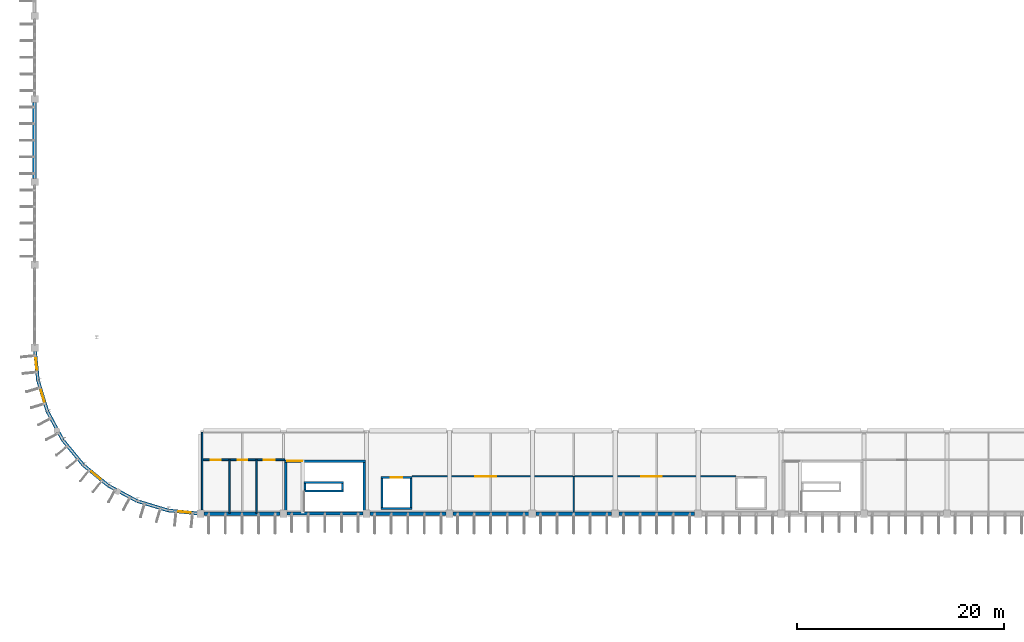
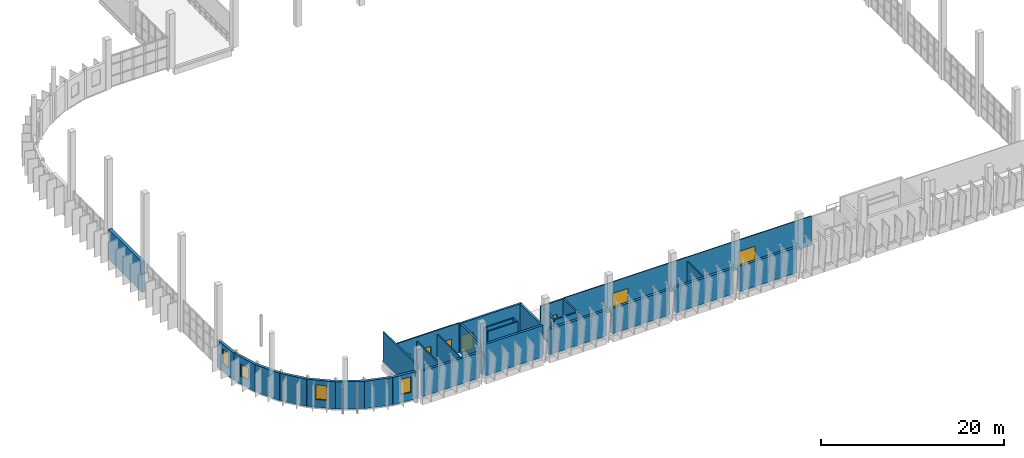
# One storey, part 47 of 66: 32 walls, 7 doors, 4 windows, 11 openings.
"""IFC4 building model written with IfcOpenShell, lengths in metres."""

import ifcopenshell
import ifcopenshell.guid

model = None  # the IFC model being written
_history = None  # IfcOwnerHistory: only IFC2X3 demands one
_inside = {}  # id of a spatial element -> (the spatial element, [elements in it])
_under = {}  # id of a project, library or spatial element -> (it, [spatial elements below it])
_declared = {}  # id of a project -> (the project, [libraries it declares])
_typed = {}  # id of a type object -> (the type object, [elements of that type])
_made_of = {}  # id of a material, layer set ... -> (it, [elements and type objects made of it])


def new_model(schema):
    """Start an empty IFC model of exactly this schema.

    Asked for "IFC4X3", IfcOpenShell would pick the latest addendum, in which some entities
    have other attributes; the version numbers below select the first issue.
    IFC2X3 requires an IfcOwnerHistory on every rooted entity: one is made here for all.
    """
    global model, _history
    if schema == "IFC4X3":
        model = ifcopenshell.file(schema_version=(4, 3, 0, 0))
    else:
        model = ifcopenshell.file(schema=schema)
    _inside.clear()
    _under.clear()
    _declared.clear()
    _typed.clear()
    _made_of.clear()
    _history = None
    if model.schema == "IFC2X3":
        org = make("IfcOrganization", Name="unknown")
        user = make(
            "IfcPersonAndOrganization",
            ThePerson=make("IfcPerson", FamilyName="unknown"),
            TheOrganization=org,
        )
        app = make(
            "IfcApplication",
            ApplicationDeveloper=org,
            Version="unknown",
            ApplicationFullName="unknown",
            ApplicationIdentifier="unknown",
        )
        _history = make(
            "IfcOwnerHistory",
            OwningUser=user,
            OwningApplication=app,
            ChangeAction="ADDED",
            CreationDate=0,
        )
    return model


def make(cls, **values):
    """One entity of the class cls with the attributes given. An attribute that is None is left unset."""
    return model.create_entity(
        cls, **{name: value for name, value in values.items() if value is not None}
    )


def rooted(cls, **values):
    """An entity with a GlobalId (a new one), such as an element, a storey or a relation."""
    return make(cls, GlobalId=ifcopenshell.guid.new(), OwnerHistory=_history, **values)


def si_unit(unit_type, name, prefix=None):
    """IfcSIUnit, for example si_unit("LENGTHUNIT", "METRE", prefix="MILLI")."""
    return make("IfcSIUnit", UnitType=unit_type, Prefix=prefix, Name=name)


def assignment(units):
    """IfcUnitAssignment: the units of a project."""
    return None if units is None else make("IfcUnitAssignment", Units=units)


def point(xyz):
    """IfcCartesianPoint."""
    return None if xyz is None else make("IfcCartesianPoint", Coordinates=xyz)


def direction(xyz):
    """IfcDirection."""
    return None if xyz is None else make("IfcDirection", DirectionRatios=xyz)


def frame(location, z_axis=None, x_axis=None):
    """IfcAxis2Placement3D, a coordinate frame: its origin and axes. An axis left out is left unset."""
    return make(
        "IfcAxis2Placement3D",
        Location=point(location),
        Axis=direction(z_axis),
        RefDirection=direction(x_axis),
    )


def frame_2d(location, x_axis=None):
    """IfcAxis2Placement2D, a coordinate frame in the plane: its origin and x axis."""
    return make(
        "IfcAxis2Placement2D", Location=point(location), RefDirection=direction(x_axis)
    )


def origin():
    """The frame at (0, 0, 0) with its axes left unset."""
    return frame((0.0, 0.0, 0.0))


def place(relative_to, where):
    """IfcLocalPlacement: puts the frame where relative to a parent placement (None: the world)."""
    return make(
        "IfcLocalPlacement", PlacementRelTo=relative_to, RelativePlacement=where
    )


def context(
    kind, dimensions, precision=None, world=None, true_north=None, identifier=None
):
    """IfcGeometricRepresentationContext, for example the 3D "Model" context."""
    return make(
        "IfcGeometricRepresentationContext",
        ContextIdentifier=identifier,
        ContextType=kind,
        CoordinateSpaceDimension=dimensions,
        Precision=precision,
        WorldCoordinateSystem=world,
        TrueNorth=true_north,
    )


def subcontext(parent, identifier, kind, view, scale=None):
    """IfcGeometricRepresentationSubContext, for example "Body" below "Model"."""
    return make(
        "IfcGeometricRepresentationSubContext",
        ContextIdentifier=identifier,
        ContextType=kind,
        ParentContext=parent,
        TargetScale=scale,
        TargetView=view,
    )


def project(units=None, contexts=None):
    """IfcProject with its units and contexts."""
    return rooted(
        "IfcProject",
        Name="project",
        RepresentationContexts=contexts,
        UnitsInContext=assignment(units),
    )


def spatial(cls, under=None, at=None, **own):
    """A site, building, storey or space (cls), placed at a placement, below another one or the project."""
    s = rooted(cls, ObjectPlacement=at, **own)
    if under is not None:
        _under.setdefault(under.id(), (under, []))[1].append(s)
    return s


def profile(cls, at=None, kind="AREA", **sizes):
    """A parametric profile (cls). Its sizes go by their IFC names, for example OverallWidth=200.0."""
    return make(cls, ProfileType=kind, Position=at, **sizes)


def rectangle(**sizes):
    """IfcRectangleProfileDef."""
    return profile("IfcRectangleProfileDef", **sizes)


def extrude(swept, where, along, depth):
    """IfcExtrudedAreaSolid: the profile swept, set in the frame where, extruded along a direction by depth."""
    return make(
        "IfcExtrudedAreaSolid",
        SweptArea=swept,
        Position=where,
        ExtrudedDirection=direction(along),
        Depth=depth,
    )


def shape(context_of_items, identifier, shape_type, items):
    """IfcShapeRepresentation: the items that make up one representation, for example the "Body"."""
    return make(
        "IfcShapeRepresentation",
        ContextOfItems=context_of_items,
        RepresentationIdentifier=identifier,
        RepresentationType=shape_type,
        Items=items,
    )


def material(Name=None, Category=None):
    """IfcMaterial."""
    return make("IfcMaterial", Name=Name, Category=Category)


def layer(
    of_material, thickness, ventilated=None, Name=None, Category=None, Priority=None
):
    """IfcMaterialLayer: one layer of a wall or slab, of a material (None: an air gap)."""
    return make(
        "IfcMaterialLayer",
        Material=of_material,
        LayerThickness=thickness,
        IsVentilated=ventilated,
        Name=Name,
        Category=Category,
        Priority=Priority,
    )


def layer_set(layers, Name=None):
    """IfcMaterialLayerSet."""
    return make("IfcMaterialLayerSet", MaterialLayers=layers, LayerSetName=Name)


def made_of(thing, what):
    """Note that an element or type object is made of a material, layer set ...; save() writes the relation."""
    if what is not None:
        _made_of.setdefault(what.id(), (what, []))[1].append(thing)
    return thing


def type_object(cls, material=None, **own):
    """A type object (cls), such as IfcWallType, which elements share."""
    return made_of(rooted(cls, **own), material)


def element(
    cls,
    number,
    at=None,
    inside=None,
    cuts=None,
    type_object=None,
    material=None,
    context=None,
    identifier="Body",
    shape_type=None,
    held_by="IfcProductDefinitionShape",
    body=None,
    shapes=None,
    **own,
):
    """One element of the class cls, such as IfcWall. Its Tag is "e" and its number.

    at: its placement. inside: the storey or other place that contains it. cuts: it is an
    opening in that element (IfcRelVoidsElement). A single representation is given by context,
    identifier, shape_type and body (its items); several are given by shapes. held_by: the class
    of the entity that holds the representations. save() writes the other relations.
    """
    e = rooted(cls, Tag="e%d" % number, ObjectPlacement=at, **own)
    if body is not None:
        shapes = [shape(context, identifier, shape_type, body)]
    if shapes is not None:
        e.Representation = make(held_by, Representations=shapes)
    if inside is not None:
        _inside.setdefault(inside.id(), (inside, []))[1].append(e)
    if cuts is not None:
        rooted(
            "IfcRelVoidsElement", RelatingBuildingElement=cuts, RelatedOpeningElement=e
        )
    if type_object is not None:
        _typed.setdefault(type_object.id(), (type_object, []))[1].append(e)
    return made_of(e, material)


def fill(opening, filler):
    """IfcRelFillsElement: the door or window that sits in an opening."""
    return rooted(
        "IfcRelFillsElement",
        RelatingOpeningElement=opening,
        RelatedBuildingElement=filler,
    )


def aggregate(whole, parts):
    """IfcRelAggregates: a whole, such as a stair, and the parts it consists of."""
    return rooted("IfcRelAggregates", RelatingObject=whole, RelatedObjects=parts)


def save(model, path):
    """Write the relations noted so far, then the file.

    IfcRelAggregates (storeys below a building ...), IfcRelContainedInSpatialStructure (elements
    in a storey), IfcRelDefinesByType, IfcRelAssociatesMaterial and IfcRelDeclares: one each for
    every whole, place, type object, material and project.
    """
    for whole, parts in _under.values():
        aggregate(whole, parts)
    for where, things in _inside.values():
        rooted(
            "IfcRelContainedInSpatialStructure",
            RelatedElements=things,
            RelatingStructure=where,
        )
    for kind, things in _typed.values():
        rooted("IfcRelDefinesByType", RelatedObjects=things, RelatingType=kind)
    for what, things in _made_of.values():
        rooted("IfcRelAssociatesMaterial", RelatedObjects=things, RelatingMaterial=what)
    for by, libraries in _declared.values():
        rooted("IfcRelDeclares", RelatingContext=by, RelatedDefinitions=libraries)
    model.write(path)


model = new_model("IFC4")

# Units and contexts
model_context = context("Model", 3, precision=1e-05, world=origin(), true_north=direction((0.0, 1.0)))
body_context = subcontext(model_context, "Body", "Model", "MODEL_VIEW")
ifc_project = project(units=[si_unit("LENGTHUNIT", "METRE"), si_unit("AREAUNIT", "SQUARE_METRE"), si_unit("VOLUMEUNIT", "CUBIC_METRE"), si_unit("PLANEANGLEUNIT", "RADIAN"), si_unit("MASSUNIT", "GRAM", prefix="KILO")], contexts=[model_context])

# Site, building, storey
site_placement = place(None, origin())
site = spatial("IfcSite", under=ifc_project, at=site_placement, CompositionType="ELEMENT")
building_placement = place(site_placement, origin())
building = spatial("IfcBuilding", under=site, at=building_placement, Name="Drelvana Railside Aquatics Centre", CompositionType="ELEMENT")
storey_placement = place(building_placement, frame((0.0, 0.0, 10.199951171875)))
storey = spatial("IfcBuildingStorey", under=building, at=storey_placement, Name="L02", CompositionType="ELEMENT", Elevation=10.199951171875)

# Wall, opening, door
ifc_material_1 = material(Name="Concrete C40/50", Category="concrete")
ifc_layer_1 = layer(ifc_material_1, 0.25, Name="Concrete C40/50")
ifc_layer_set_1 = layer_set([ifc_layer_1], Name="Concrete C40/50")
wall_type_1 = type_object("IfcWallType", Name="WL-CORE-250", PredefinedType="SHEAR", material=ifc_layer_set_1)
wall_1_placement = place(storey_placement, frame((24.10009765625, 21.074951171875, 0.0), z_axis=(0.0, 0.0, 1.0), x_axis=(1.0, 0.0, 0.0)))
wall_1 = element("IfcWall", 1, at=wall_1_placement, inside=storey, type_object=wall_type_1, Name="Core 1 South-West Pool Hall N core wall (L02)", PredefinedType="SHEAR", context=body_context, shape_type="SweptSolid", body=[
    extrude(rectangle(XDim=7.7998046875, YDim=0.25, at=frame_2d((3.89990234375, 0.0))), origin(), (0.0, 0.0, 1.0), 3.9599609375),
])
opening_1_placement = place(wall_1_placement, frame((0.25, 0.0, 0.0)))
opening_1 = element("IfcOpeningElement", 2, at=opening_1_placement, cuts=wall_1, Name="Opening D-01-004", PredefinedType="OPENING", context=body_context, shape_type="SweptSolid", body=[
    extrude(rectangle(XDim=1.449951171875, YDim=2.199951171875, at=frame_2d((0.72509765625, 1.10009765625))), frame((0.0, 0.135009765625, 0.0), z_axis=(0.0, -1.0, 0.0), x_axis=(1.0, 0.0, 0.0)), (0.0, 0.0, 1.0), 0.27001953125),
])
ifc_material_2 = material(Name="Fire-rated steel and vision-panel door", Category="steel")
door_type_1 = type_object("IfcDoorType", Name="DR-INT-STAIR-1450x2200", OperationType="DOUBLE_DOOR_SINGLE_SWING", PredefinedType="DOOR", material=ifc_material_2)
door_1_placement = place(opening_1_placement, origin())
door_1 = element("IfcDoor", 3, at=door_1_placement, inside=storey, type_object=door_type_1, Name="Stair ST-01 lobby door D-01-004", OperationType="DOUBLE_DOOR_SINGLE_SWING", OverallHeight=2.199951171875, OverallWidth=1.449951171875, PredefinedType="DOOR", context=body_context, shape_type="SweptSolid", body=[
    extrude(rectangle(XDim=1.449951171875, YDim=2.199951171875, at=frame_2d((0.72509765625, 1.10009765625))), frame((0.0, 0.02490234375, 0.0), z_axis=(0.0, -1.0, 0.0), x_axis=(1.0, 0.0, 0.0)), (0.0, 0.0, 1.0), 0.050048828125),
])
fill(opening_1, door_1)

# Walls
for number, where, z_axis, x_axis, name in (
    (4, (24.22509765625, 16.25, 0.0), (0.0, 0.0, 1.0), (0.0, 1.0, 0.0), "Core 1 South-West Pool Hall W core wall (L02)"),
    (5, (31.77490234375, 16.25, 0.0), (0.0, 0.0, 1.0), (0.0, 1.0, 0.0), "Core 1 South-West Pool Hall E core wall (L02)"),
):
    element("IfcWall", number, at=place(storey_placement, frame(where, z_axis=z_axis, x_axis=x_axis)), inside=storey, type_object=wall_type_1, Name=name, PredefinedType="SHEAR", context=body_context, shape_type="SweptSolid", body=[
        extrude(rectangle(XDim=4.699951171875, YDim=0.25, at=frame_2d((2.35009765625, 0.0))), origin(), (0.0, 0.0, 1.0), 3.9599609375),
    ])
ifc_layer_2 = layer(ifc_material_1, 0.300048828125, Name="Concrete C40/50")
ifc_layer_set_2 = layer_set([ifc_layer_2], Name="Concrete C40/50")
wall_type_2 = type_object("IfcWallType", Name="WL-CORE-300", PredefinedType="SHEAR", material=ifc_layer_set_2)
wall_2_placement = place(storey_placement, frame((24.345947265625, 16.0, 0.0), z_axis=(0.0, 0.0, 1.0), x_axis=(1.0, 0.0, 0.0)))
element("IfcWall", 6, at=wall_2_placement, inside=storey, type_object=wall_type_2, Name="Pool Hall south L02 core shear wall 2", PredefinedType="SHEAR", context=body_context, shape_type="SweptSolid", body=[
    extrude(rectangle(XDim=7.30810546875, YDim=0.300048828125, at=frame_2d((3.654052734375, 0.0))), origin(), (0.0, 0.0, 1.0), 4.199951171875),
])

# Wall, openings, doors
ifc_material_3 = material(Name="Acoustic twin-stud gypsum partition", Category="gypsum")
ifc_layer_3 = layer(ifc_material_3, 0.1201171875, Name="Acoustic twin-stud gypsum partition")
ifc_layer_set_3 = layer_set([ifc_layer_3], Name="Acoustic twin-stud gypsum partition")
wall_type_3 = type_object("IfcWallType", Name="WL-DRY-120", PredefinedType="PARTITIONING", material=ifc_layer_set_3)
wall_3_placement = place(storey_placement, frame((36.39990234375, 19.60009765625, 0.0), z_axis=(0.0, 0.0, 1.0), x_axis=(1.0, 0.0, 0.0)))
wall_3 = element("IfcWall", 7, at=wall_3_placement, inside=storey, type_object=wall_type_3, Name="L02 Broadcast and VIP Lounge north wall", PredefinedType="PARTITIONING", context=body_context, shape_type="SweptSolid", body=[
    extrude(rectangle(XDim=31.2001953125, YDim=0.1201171875, at=frame_2d((15.60009765625, 0.0))), origin(), (0.0, 0.0, 1.0), 3.945068359375),
])
opening_2_placement = place(wall_3_placement, frame((6.10009765625, 0.0, 0.0)))
opening_2 = element("IfcOpeningElement", 8, at=opening_2_placement, cuts=wall_3, Name="Opening D-06-155", PredefinedType="OPENING", context=body_context, shape_type="SweptSolid", body=[
    extrude(rectangle(XDim=2.0, YDim=2.39990234375, at=frame_2d((1.0, 1.199951171875))), frame((0.0, 0.070068359375, 0.0), z_axis=(0.0, -1.0, 0.0), x_axis=(1.0, 0.0, 0.0)), (0.0, 0.0, 1.0), 0.14013671875),
])
opening_3_placement = place(wall_3_placement, frame((22.10009765625, 0.0, 0.0)))
opening_3 = element("IfcOpeningElement", 9, at=opening_3_placement, cuts=wall_3, Name="Opening D-06-156", PredefinedType="OPENING", context=body_context, shape_type="SweptSolid", body=[
    extrude(rectangle(XDim=2.0, YDim=2.39990234375, at=frame_2d((1.0, 1.199951171875))), frame((0.0, 0.070068359375, 0.0), z_axis=(0.0, -1.0, 0.0), x_axis=(1.0, 0.0, 0.0)), (0.0, 0.0, 1.0), 0.14013671875),
])
ifc_material_4 = material(Name="Glazed bronze-aluminium concourse door", Category="aluminium")
door_type_2 = type_object("IfcDoorType", Name="DR-INT-HALL-2000x2400", OperationType="DOUBLE_DOOR_SINGLE_SWING", PredefinedType="DOOR", material=ifc_material_4)
door_2_placement = place(opening_2_placement, origin())
door_2 = element("IfcDoor", 10, at=door_2_placement, inside=storey, type_object=door_type_2, Name="Broadcast and Media Lounge door D-06-155", OperationType="DOUBLE_DOOR_SINGLE_SWING", OverallHeight=2.39990234375, OverallWidth=2.0, PredefinedType="DOOR", context=body_context, shape_type="SweptSolid", body=[
    extrude(rectangle(XDim=2.0, YDim=2.39990234375, at=frame_2d((1.0, 1.199951171875))), frame((0.0, 0.02490234375, 0.0), z_axis=(0.0, -1.0, 0.0), x_axis=(1.0, 0.0, 0.0)), (0.0, 0.0, 1.0), 0.050048828125),
])
fill(opening_2, door_2)
door_3_placement = place(opening_3_placement, origin())
door_3 = element("IfcDoor", 11, at=door_3_placement, inside=storey, type_object=door_type_2, Name="VIP Club Lounge door D-06-156", OperationType="DOUBLE_DOOR_SINGLE_SWING", OverallHeight=2.39990234375, OverallWidth=2.0, PredefinedType="DOOR", context=body_context, shape_type="SweptSolid", body=[
    extrude(rectangle(XDim=2.0, YDim=2.39990234375, at=frame_2d((1.0, 1.199951171875))), frame((0.0, 0.02490234375, 0.0), z_axis=(0.0, -1.0, 0.0), x_axis=(1.0, 0.0, 0.0)), (0.0, 0.0, 1.0), 0.050048828125),
])
fill(opening_3, door_3)

# Walls
wall_4_placement = place(storey_placement, frame((52.0, 16.159912109375, 0.0), z_axis=(0.0, 0.0, 1.0), x_axis=(0.0, 1.0, 0.0)))
element("IfcWall", 12, at=wall_4_placement, inside=storey, type_object=wall_type_3, Name="L02 Broadcast-VIP divider", PredefinedType="PARTITIONING", context=body_context, shape_type="SweptSolid", body=[
    extrude(rectangle(XDim=3.440185546875, YDim=0.1201171875, at=frame_2d((1.72021484375, 0.0))), origin(), (0.0, 0.0, 1.0), 3.39013671875),
])
ifc_material_5 = material(Name="Terracotta rainscreen masonry wall", Category="masonry")
ifc_layer_4 = layer(ifc_material_5, 0.31005859375, Name="Terracotta rainscreen masonry wall")
ifc_layer_set_4 = layer_set([ifc_layer_4], Name="Terracotta rainscreen masonry wall")
wall_type_4 = type_object("IfcWallType", Name="WL-EXT-310", PredefinedType="STANDARD", material=ifc_layer_set_4)
for number, where, z_axis, x_axis, name in (
    (13, (16.345947265625, 16.0, 0.0), (0.0, 0.0, 1.0), (1.0, 0.0, 0.0), "V1S L02 eyelid upper wall 1"),
    (14, (32.345947265625, 16.0, 0.0), (0.0, 0.0, 1.0), (1.0, 0.0, 0.0), "V1S L02 eyelid upper wall 3"),
    (15, (40.345947265625, 16.0, 0.0), (0.0, 0.0, 1.0), (1.0, 0.0, 0.0), "V1S L02 eyelid upper wall 4"),
    (16, (48.345947265625, 16.0, 0.0), (0.0, 0.0, 1.0), (1.0, 0.0, 0.0), "V1S L02 eyelid upper wall 5"),
    (17, (56.345947265625, 16.0, 0.0), (0.0, 0.0, 1.0), (1.0, 0.0, 0.0), "V1S L02 eyelid upper wall 6"),
):
    element("IfcWall", number, at=place(storey_placement, frame(where, z_axis=z_axis, x_axis=x_axis)), inside=storey, type_object=wall_type_4, Name=name, PredefinedType="STANDARD", context=body_context, shape_type="SweptSolid", body=[
        extrude(rectangle(XDim=7.30810546875, YDim=0.31005859375, at=frame_2d((3.654052734375, 0.0))), origin(), (0.0, 0.0, 1.0), 3.39013671875),
    ])

# Wall, opening, window
ifc_material_6 = material(Name="Abuja granite ashlar cavity wall", Category="masonry")
ifc_layer_5 = layer(ifc_material_6, 0.330078125, Name="Abuja granite ashlar cavity wall")
ifc_layer_set_5 = layer_set([ifc_layer_5], Name="Abuja granite ashlar cavity wall")
wall_type_5 = type_object("IfcWallType", Name="WL-EXT-330", PredefinedType="STANDARD", material=ifc_layer_set_5)
wall_5_placement = place(storey_placement, frame((0.0, 32.0, 0.0), z_axis=(0.0, 0.0, 1.0), x_axis=(0.098000751113, -0.995186340733, 0.0)))
wall_5 = element("IfcWall", 18, at=wall_5_placement, inside=storey, type_object=wall_type_5, Name="V1SW curved stone wall 1", PredefinedType="STANDARD", context=body_context, shape_type="SweptSolid", body=[
    extrude(rectangle(XDim=3.136474609375, YDim=0.330078125, at=frame_2d((1.568359375, 0.0))), origin(), (0.0, 0.0, 1.0), 3.630126953125),
])
opening_4_placement = place(wall_5_placement, frame((0.993408203125, 0.0, 1.050048828125)))
opening_4 = element("IfcOpeningElement", 19, at=opening_4_placement, cuts=wall_5, Name="Opening W-09", PredefinedType="OPENING", context=body_context, shape_type="SweptSolid", body=[
    extrude(rectangle(XDim=1.14990234375, YDim=1.949951171875, at=frame_2d((0.574951171875, 0.97509765625))), frame((0.0, 0.175048828125, 0.0), z_axis=(0.0, -1.0, 0.0), x_axis=(1.0, 0.0, 0.0)), (0.0, 0.0, 1.0), 0.35009765625),
])
ifc_material_7 = material(Name="Double-glazed solar-control aluminium window", Category="aluminium")
window_type_1 = type_object("IfcWindowType", Name="WIN-09", PartitioningType="SINGLE_PANEL", PredefinedType="WINDOW", material=ifc_material_7)
window_1_placement = place(opening_4_placement, origin())
window_1 = element("IfcWindow", 20, at=window_1_placement, inside=storey, type_object=window_type_1, Name="Curved corner window WIN-09", OverallHeight=1.949951171875, OverallWidth=1.14990234375, PartitioningType="SINGLE_PANEL", PredefinedType="WINDOW", context=body_context, shape_type="SweptSolid", body=[
    extrude(rectangle(XDim=1.14990234375, YDim=1.949951171875, at=frame_2d((0.574951171875, 0.97509765625))), frame((0.0, 0.030029296875, 0.0), z_axis=(0.0, -1.0, 0.0), x_axis=(1.0, 0.0, 0.0)), (0.0, 0.0, 1.0), 0.06005859375),
])
fill(opening_4, window_1)

wall_6_placement = place(storey_placement, frame((0.307373046875, 28.878662109375, 0.0), z_axis=(0.0, 0.0, 1.0), x_axis=(0.29030980253, -0.956932713703, 0.0)))
wall_6 = element("IfcWall", 21, at=wall_6_placement, inside=storey, type_object=wall_type_5, Name="V1SW curved stone wall 2", PredefinedType="STANDARD", context=body_context, shape_type="SweptSolid", body=[
    extrude(rectangle(XDim=3.13671875, YDim=0.330078125, at=frame_2d((1.568359375, 0.0))), origin(), (0.0, 0.0, 1.0), 3.630126953125),
])
opening_5_placement = place(wall_6_placement, frame((0.96826171875, 0.0, 1.050048828125)))
opening_5 = element("IfcOpeningElement", 22, at=opening_5_placement, cuts=wall_6, Name="Opening W-10", PredefinedType="OPENING", context=body_context, shape_type="SweptSolid", body=[
    extrude(rectangle(XDim=1.199951171875, YDim=1.60009765625, at=frame_2d((0.60009765625, 0.800048828125))), frame((0.0, 0.175048828125, 0.0), z_axis=(0.0, -1.0, 0.0), x_axis=(1.0, 0.0, 0.0)), (0.0, 0.0, 1.0), 0.35009765625),
])
window_type_2 = type_object("IfcWindowType", Name="WIN-10", PartitioningType="SINGLE_PANEL", PredefinedType="WINDOW", material=ifc_material_7)
window_2_placement = place(opening_5_placement, origin())
window_2 = element("IfcWindow", 23, at=window_2_placement, inside=storey, type_object=window_type_2, Name="Curved corner window WIN-10", OverallHeight=1.60009765625, OverallWidth=1.199951171875, PartitioningType="SINGLE_PANEL", PredefinedType="WINDOW", context=body_context, shape_type="SweptSolid", body=[
    extrude(rectangle(XDim=1.199951171875, YDim=1.60009765625, at=frame_2d((0.60009765625, 0.800048828125))), frame((0.0, 0.030029296875, 0.0), z_axis=(0.0, -1.0, 0.0), x_axis=(1.0, 0.0, 0.0)), (0.0, 0.0, 1.0), 0.06005859375),
])
fill(opening_5, window_2)

# Walls
for number, where, z_axis, x_axis, name in (
    (24, (1.218017578125, 25.876953125, 0.0), (0.0, 0.0, 1.0), (0.471396060548, -0.881921625826, 0.0), "V1SW curved stone wall 3"),
    (25, (2.696533203125, 23.11083984375, 0.0), (0.0, 0.0, 1.0), (0.634385792339, -0.773016601683, 0.0), "V1SW curved stone wall 4"),
):
    element("IfcWall", number, at=place(storey_placement, frame(where, z_axis=z_axis, x_axis=x_axis)), inside=storey, type_object=wall_type_5, Name=name, PredefinedType="STANDARD", context=body_context, shape_type="SweptSolid", body=[
        extrude(rectangle(XDim=3.136474609375, YDim=0.330078125, at=frame_2d((1.568359375, 0.0))), origin(), (0.0, 0.0, 1.0), 3.630126953125),
    ])

# Wall, opening, window
wall_7_placement = place(storey_placement, frame((4.686279296875, 20.686279296875, 0.0), z_axis=(0.0, 0.0, 1.0), x_axis=(0.773016601683, -0.634385792339, 0.0)))
wall_7 = element("IfcWall", 26, at=wall_7_placement, inside=storey, type_object=wall_type_5, Name="V1SW curved stone wall 5", PredefinedType="STANDARD", context=body_context, shape_type="SweptSolid", body=[
    extrude(rectangle(XDim=3.136474609375, YDim=0.330078125, at=frame_2d((1.568359375, 0.0))), origin(), (0.0, 0.0, 1.0), 3.630126953125),
])
opening_6_placement = place(wall_7_placement, frame((0.993408203125, 0.0, 1.050048828125)))
opening_6 = element("IfcOpeningElement", 27, at=opening_6_placement, cuts=wall_7, Name="Opening W-09", PredefinedType="OPENING", context=body_context, shape_type="SweptSolid", body=[
    extrude(rectangle(XDim=1.14990234375, YDim=1.949951171875, at=frame_2d((0.574951171875, 0.97509765625))), frame((0.0, 0.175048828125, 0.0), z_axis=(0.0, -1.0, 0.0), x_axis=(1.0, 0.0, 0.0)), (0.0, 0.0, 1.0), 0.35009765625),
])
window_3_placement = place(opening_6_placement, origin())
window_3 = element("IfcWindow", 28, at=window_3_placement, inside=storey, type_object=window_type_1, Name="Curved corner window WIN-09", OverallHeight=1.949951171875, OverallWidth=1.14990234375, PartitioningType="SINGLE_PANEL", PredefinedType="WINDOW", context=body_context, shape_type="SweptSolid", body=[
    extrude(rectangle(XDim=1.14990234375, YDim=1.949951171875, at=frame_2d((0.574951171875, 0.97509765625))), frame((0.0, 0.030029296875, 0.0), z_axis=(0.0, -1.0, 0.0), x_axis=(1.0, 0.0, 0.0)), (0.0, 0.0, 1.0), 0.06005859375),
])
fill(opening_6, window_3)

# Walls
wall_8_placement = place(storey_placement, frame((7.11083984375, 18.696533203125, 0.0), z_axis=(0.0, 0.0, 1.0), x_axis=(0.881921625826, -0.471396060548, 0.0)))
element("IfcWall", 29, at=wall_8_placement, inside=storey, type_object=wall_type_5, Name="V1SW curved stone wall 6", PredefinedType="STANDARD", context=body_context, shape_type="SweptSolid", body=[
    extrude(rectangle(XDim=3.136474609375, YDim=0.330078125, at=frame_2d((1.568359375, 0.0))), origin(), (0.0, 0.0, 1.0), 3.630126953125),
])
wall_9_placement = place(storey_placement, frame((9.876953125, 17.218017578125, 0.0), z_axis=(0.0, 0.0, 1.0), x_axis=(0.956932713703, -0.29030980253, 0.0)))
element("IfcWall", 30, at=wall_9_placement, inside=storey, type_object=wall_type_5, Name="V1SW curved stone wall 7", PredefinedType="STANDARD", context=body_context, shape_type="SweptSolid", body=[
    extrude(rectangle(XDim=3.13671875, YDim=0.330078125, at=frame_2d((1.568359375, 0.0))), origin(), (0.0, 0.0, 1.0), 3.630126953125),
])

# Wall, opening, window
wall_10_placement = place(storey_placement, frame((12.878662109375, 16.307373046875, 0.0), z_axis=(0.0, 0.0, 1.0), x_axis=(0.995186340733, -0.098000751113, 0.0)))
wall_10 = element("IfcWall", 31, at=wall_10_placement, inside=storey, type_object=wall_type_5, Name="V1SW curved stone wall 8", PredefinedType="STANDARD", context=body_context, shape_type="SweptSolid", body=[
    extrude(rectangle(XDim=3.136474609375, YDim=0.330078125, at=frame_2d((1.568359375, 0.0))), origin(), (0.0, 0.0, 1.0), 3.630126953125),
])
opening_7_placement = place(wall_10_placement, frame((0.96826171875, 0.0, 1.050048828125)))
opening_7 = element("IfcOpeningElement", 32, at=opening_7_placement, cuts=wall_10, Name="Opening W-12", PredefinedType="OPENING", context=body_context, shape_type="SweptSolid", body=[
    extrude(rectangle(XDim=1.199951171875, YDim=2.050048828125, at=frame_2d((0.60009765625, 1.02490234375))), frame((0.0, 0.175048828125, 0.0), z_axis=(0.0, -1.0, 0.0), x_axis=(1.0, 0.0, 0.0)), (0.0, 0.0, 1.0), 0.35009765625),
])
window_type_3 = type_object("IfcWindowType", Name="WIN-12", PartitioningType="SINGLE_PANEL", PredefinedType="WINDOW", material=ifc_material_7)
window_4_placement = place(opening_7_placement, origin())
window_4 = element("IfcWindow", 33, at=window_4_placement, inside=storey, type_object=window_type_3, Name="Curved corner window WIN-12", OverallHeight=2.050048828125, OverallWidth=1.199951171875, PartitioningType="SINGLE_PANEL", PredefinedType="WINDOW", context=body_context, shape_type="SweptSolid", body=[
    extrude(rectangle(XDim=1.199951171875, YDim=2.050048828125, at=frame_2d((0.60009765625, 1.02490234375))), frame((0.0, 0.030029296875, 0.0), z_axis=(0.0, -1.0, 0.0), x_axis=(1.0, 0.0, 0.0)), (0.0, 0.0, 1.0), 0.06005859375),
])
fill(opening_7, window_4)

# Walls
ifc_material_8 = material(Name="Heavy thermal-mass stone facade wall", Category="masonry")
ifc_layer_6 = layer(ifc_material_8, 0.389892578125, Name="Heavy thermal-mass stone facade wall")
ifc_layer_set_6 = layer_set([ifc_layer_6], Name="Heavy thermal-mass stone facade wall")
wall_type_6 = type_object("IfcWallType", Name="WL-EXT-390", PredefinedType="STANDARD", material=ifc_layer_set_6)
wall_11_placement = place(storey_placement, frame((0.0, 48.345947265625, 0.0), z_axis=(0.0, 0.0, 1.0), x_axis=(0.0, 1.0, 0.0)))
element("IfcWall", 34, at=wall_11_placement, inside=storey, type_object=wall_type_6, Name="V1 West solid masonry bay 48", PredefinedType="STANDARD", context=body_context, shape_type="SweptSolid", body=[
    extrude(rectangle(XDim=7.30810546875, YDim=0.389892578125, at=frame_2d((3.654052734375, 0.0))), origin(), (0.0, 0.0, 1.0), 4.050048828125),
])
ifc_layer_7 = layer(ifc_material_1, 0.199951171875, Name="Concrete C40/50")
ifc_layer_set_7 = layer_set([ifc_layer_7], Name="Concrete C40/50")
wall_type_7 = type_object("IfcWallType", Name="WL-SHFT-200", PredefinedType="SHEAR", material=ifc_layer_set_7)
for number, where, z_axis, x_axis, name in (
    (35, (25.969970703125, 18.199951171875, 0.0), (0.0, 0.0, 1.0), (1.0, 0.0, 0.0), "Stair ST-01 central spine wall A (L02)"),
    (36, (25.969970703125, 19.0, 0.0), (0.0, 0.0, 1.0), (1.0, 0.0, 0.0), "Stair ST-01 central spine wall B (L02)"),
):
    element("IfcWall", number, at=place(storey_placement, frame(where, z_axis=z_axis, x_axis=x_axis)), inside=storey, type_object=wall_type_7, Name=name, PredefinedType="SHEAR", context=body_context, shape_type="SweptSolid", body=[
        extrude(rectangle(XDim=3.820068359375, YDim=0.199951171875, at=frame_2d((1.91015625, 0.0))), origin(), (0.0, 0.0, 1.0), 3.9599609375),
    ])
for number, where, z_axis, x_axis, name in (
    (37, (26.070068359375, 18.300048828125, 0.0), (0.0, 0.0, 1.0), (0.0, 1.0, 0.0), "Stair ST-01 central spine wall W (L02)"),
    (38, (29.68994140625, 18.300048828125, 0.0), (0.0, 0.0, 1.0), (0.0, 1.0, 0.0), "Stair ST-01 central spine wall E (L02)"),
):
    element("IfcWall", number, at=place(storey_placement, frame(where, z_axis=z_axis, x_axis=x_axis)), inside=storey, type_object=wall_type_7, Name=name, PredefinedType="SHEAR", context=body_context, shape_type="SweptSolid", body=[
        extrude(rectangle(XDim=0.599853515625, YDim=0.199951171875, at=frame_2d((0.2998046875, 0.0))), origin(), (0.0, 0.0, 1.0), 3.9599609375),
    ])
wall_12_placement = place(storey_placement, frame((33.39990234375, 16.5, 0.0), z_axis=(0.0, 0.0, 1.0), x_axis=(1.0, 0.0, 0.0)))
element("IfcWall", 39, at=wall_12_placement, inside=storey, type_object=wall_type_7, Name="Lift LP-01 S shaft wall (L02)", PredefinedType="SHEAR", context=body_context, shape_type="SweptSolid", body=[
    extrude(rectangle(XDim=3.0, YDim=0.199951171875, at=frame_2d((1.5, 0.0))), origin(), (0.0, 0.0, 1.0), 3.9599609375),
])

# Wall, opening, door
wall_13_placement = place(storey_placement, frame((33.39990234375, 19.5, 0.0), z_axis=(0.0, 0.0, 1.0), x_axis=(1.0, 0.0, 0.0)))
wall_13 = element("IfcWall", 40, at=wall_13_placement, inside=storey, type_object=wall_type_7, Name="Lift LP-01 N shaft wall (L02)", PredefinedType="SHEAR", context=body_context, shape_type="SweptSolid", body=[
    extrude(rectangle(XDim=3.0, YDim=0.199951171875, at=frame_2d((1.5, 0.0))), origin(), (0.0, 0.0, 1.0), 3.9599609375),
])
opening_8_placement = place(wall_13_placement, frame((0.949951171875, 0.0, 0.0)))
opening_8 = element("IfcOpeningElement", 41, at=opening_8_placement, cuts=wall_13, Name="Opening LD-01-008", PredefinedType="OPENING", context=body_context, shape_type="SweptSolid", body=[
    extrude(rectangle(XDim=1.10009765625, YDim=2.199951171875, at=frame_2d((0.550048828125, 1.10009765625))), frame((0.0, 0.10986328125, 0.0), z_axis=(0.0, -1.0, 0.0), x_axis=(1.0, 0.0, 0.0)), (0.0, 0.0, 1.0), 0.219970703125),
])
ifc_material_9 = material(Name="Stainless steel lift landing sliding door", Category="steel")
door_type_3 = type_object("IfcDoorType", Name="DR-LIFT-LD-1100x2200", OperationType="SLIDING_TO_LEFT", PredefinedType="DOOR", material=ifc_material_9)
door_4_placement = place(opening_8_placement, origin())
door_4 = element("IfcDoor", 42, at=door_4_placement, inside=storey, type_object=door_type_3, Name="Lift LP-01 landing door LD-01-008", OperationType="SLIDING_TO_LEFT", OverallHeight=2.199951171875, OverallWidth=1.10009765625, PredefinedType="DOOR", context=body_context, shape_type="SweptSolid", body=[
    extrude(rectangle(XDim=1.10009765625, YDim=2.199951171875, at=frame_2d((0.550048828125, 1.10009765625))), frame((0.0, 0.02490234375, 0.0), z_axis=(0.0, -1.0, 0.0), x_axis=(1.0, 0.0, 0.0)), (0.0, 0.0, 1.0), 0.050048828125),
])
fill(opening_8, door_4)

# Walls
for number, where, z_axis, x_axis, name in (
    (43, (33.5, 16.60009765625, 0.0), (0.0, 0.0, 1.0), (0.0, 1.0, 0.0), "Lift LP-01 W shaft wall (L02)"),
    (44, (36.300048828125, 16.60009765625, 0.0), (0.0, 0.0, 1.0), (0.0, 1.0, 0.0), "Lift LP-01 E shaft wall (L02)"),
):
    element("IfcWall", number, at=place(storey_placement, frame(where, z_axis=z_axis, x_axis=x_axis)), inside=storey, type_object=wall_type_7, Name=name, PredefinedType="SHEAR", context=body_context, shape_type="SweptSolid", body=[
        extrude(rectangle(XDim=2.7998046875, YDim=0.199951171875, at=frame_2d((1.39990234375, 0.0))), origin(), (0.0, 0.0, 1.0), 3.9599609375),
    ])
ifc_material_10 = material(Name="Moisture-resistant tiled plumbing chase wall", Category="masonry")
ifc_layer_8 = layer(ifc_material_10, 0.139892578125, Name="Moisture-resistant tiled plumbing chase wall")
ifc_layer_set_8 = layer_set([ifc_layer_8], Name="Moisture-resistant tiled plumbing chase wall")
wall_type_8 = type_object("IfcWallType", Name="WL-WET-140", PredefinedType="PLUMBINGWALL", material=ifc_layer_set_8)
for number, where, z_axis, x_axis, name in (
    (45, (18.800048828125, 16.050048828125, 0.0), (0.0, 0.0, 1.0), (0.0, 1.0, 0.0), "L02 Upper Lounge WC divider"),
    (46, (21.39990234375, 16.050048828125, 0.0), (0.0, 0.0, 1.0), (0.0, 1.0, 0.0), "L02 Upper Lounge WC divider"),
):
    element("IfcWall", number, at=place(storey_placement, frame(where, z_axis=z_axis, x_axis=x_axis)), inside=storey, type_object=wall_type_8, Name=name, PredefinedType="PLUMBINGWALL", context=body_context, shape_type="SweptSolid", body=[
        extrude(rectangle(XDim=5.14990234375, YDim=0.139892578125, at=frame_2d((2.574951171875, 0.0))), origin(), (0.0, 0.0, 1.0), 3.39013671875),
    ])

# Wall, openings, doors
ifc_material_11 = material(Name="Water-resistant ceramic-tiled block partition", Category="masonry")
ifc_layer_9 = layer(ifc_material_11, 0.159912109375, Name="Water-resistant ceramic-tiled block partition")
ifc_layer_set_9 = layer_set([ifc_layer_9], Name="Water-resistant ceramic-tiled block partition")
wall_type_9 = type_object("IfcWallType", Name="WL-WET-160", PredefinedType="PARTITIONING", material=ifc_layer_set_9)
wall_14_placement = place(storey_placement, frame((16.14990234375, 21.199951171875, 0.0), z_axis=(0.0, 0.0, 1.0), x_axis=(1.0, 0.0, 0.0)))
wall_14 = element("IfcWall", 47, at=wall_14_placement, inside=storey, type_object=wall_type_9, Name="L02 Upper Lounge WC north wall", PredefinedType="PARTITIONING", context=body_context, shape_type="SweptSolid", body=[
    extrude(rectangle(XDim=7.9501953125, YDim=0.159912109375, at=frame_2d((3.97509765625, 0.0))), origin(), (0.0, 0.0, 1.0), 3.945068359375),
])
opening_9_placement = place(wall_14_placement, frame((0.85009765625, 0.0, 0.0)))
opening_9 = element("IfcOpeningElement", 48, at=opening_9_placement, cuts=wall_14, Name="Opening D-11-152", PredefinedType="OPENING", context=body_context, shape_type="SweptSolid", body=[
    extrude(rectangle(XDim=0.919921875, YDim=2.10009765625, at=frame_2d((0.4599609375, 1.050048828125))), frame((0.0, 0.08984375, 0.0), z_axis=(0.0, -1.0, 0.0), x_axis=(1.0, 0.0, 0.0)), (0.0, 0.0, 1.0), 0.179931640625),
])
opening_10_placement = place(wall_14_placement, frame((3.449951171875, 0.0, 0.0)))
opening_10 = element("IfcOpeningElement", 49, at=opening_10_placement, cuts=wall_14, Name="Opening D-11-153", PredefinedType="OPENING", context=body_context, shape_type="SweptSolid", body=[
    extrude(rectangle(XDim=0.919921875, YDim=2.10009765625, at=frame_2d((0.4599609375, 1.050048828125))), frame((0.0, 0.08984375, 0.0), z_axis=(0.0, -1.0, 0.0), x_axis=(1.0, 0.0, 0.0)), (0.0, 0.0, 1.0), 0.179931640625),
])
opening_11_placement = place(wall_14_placement, frame((5.949951171875, 0.0, 0.0)))
opening_11 = element("IfcOpeningElement", 50, at=opening_11_placement, cuts=wall_14, Name="Opening D-12-154", PredefinedType="OPENING", context=body_context, shape_type="SweptSolid", body=[
    extrude(rectangle(XDim=1.050048828125, YDim=2.14990234375, at=frame_2d((0.52490234375, 1.074951171875))), frame((0.0, 0.08984375, 0.0), z_axis=(0.0, -1.0, 0.0), x_axis=(1.0, 0.0, 0.0)), (0.0, 0.0, 1.0), 0.179931640625),
])
ifc_material_12 = material(Name="Accessible toilet outward-opening door", Category="wood")
door_type_4 = type_object("IfcDoorType", Name="DR-INT-AWC-1050x2150", OperationType="NOTDEFINED", PredefinedType="DOOR", material=ifc_material_12)
door_5_placement = place(opening_11_placement, origin())
door_5 = element("IfcDoor", 51, at=door_5_placement, inside=storey, type_object=door_type_4, Name="Upper Lounge Accessible WC door D-12-154", OperationType="SINGLE_SWING_LEFT", OverallHeight=2.14990234375, OverallWidth=1.050048828125, PredefinedType="DOOR", context=body_context, shape_type="SweptSolid", body=[
    extrude(rectangle(XDim=1.050048828125, YDim=2.14990234375, at=frame_2d((0.52490234375, 1.074951171875))), frame((0.0, 0.02490234375, 0.0), z_axis=(0.0, -1.0, 0.0), x_axis=(1.0, 0.0, 0.0)), (0.0, 0.0, 1.0), 0.050048828125),
])
fill(opening_11, door_5)
ifc_material_13 = material(Name="Moisture-resistant laminate WC door", Category="wood")
door_type_5 = type_object("IfcDoorType", Name="DR-INT-WC-920x2100", OperationType="NOTDEFINED", PredefinedType="DOOR", material=ifc_material_13)
door_6_placement = place(opening_9_placement, origin())
door_6 = element("IfcDoor", 52, at=door_6_placement, inside=storey, type_object=door_type_5, Name="Upper Lounge Male WC door D-11-152", OperationType="SINGLE_SWING_LEFT", OverallHeight=2.10009765625, OverallWidth=0.919921875, PredefinedType="DOOR", context=body_context, shape_type="SweptSolid", body=[
    extrude(rectangle(XDim=0.919921875, YDim=2.10009765625, at=frame_2d((0.4599609375, 1.050048828125))), frame((0.0, 0.02490234375, 0.0), z_axis=(0.0, -1.0, 0.0), x_axis=(1.0, 0.0, 0.0)), (0.0, 0.0, 1.0), 0.050048828125),
])
fill(opening_9, door_6)
door_7_placement = place(opening_10_placement, origin())
door_7 = element("IfcDoor", 53, at=door_7_placement, inside=storey, type_object=door_type_5, Name="Upper Lounge Female WC door D-11-153", OperationType="SINGLE_SWING_RIGHT", OverallHeight=2.10009765625, OverallWidth=0.919921875, PredefinedType="DOOR", context=body_context, shape_type="SweptSolid", body=[
    extrude(rectangle(XDim=0.919921875, YDim=2.10009765625, at=frame_2d((0.4599609375, 1.050048828125))), frame((0.0, 0.02490234375, 0.0), z_axis=(0.0, -1.0, 0.0), x_axis=(1.0, 0.0, 0.0)), (0.0, 0.0, 1.0), 0.050048828125),
])
fill(opening_10, door_7)

# Wall
wall_15_placement = place(storey_placement, frame((16.14990234375, 16.35205078125, 0.0), z_axis=(0.0, 0.0, 1.0), x_axis=(0.0, 1.0, 0.0)))
element("IfcWall", 54, at=wall_15_placement, inside=storey, type_object=wall_type_9, Name="L02 Upper Lounge west closure", PredefinedType="PARTITIONING", context=body_context, shape_type="SweptSolid", body=[
    extrude(rectangle(XDim=7.498046875, YDim=0.159912109375, at=frame_2d((3.7490234375, 0.0))), origin(), (0.0, 0.0, 1.0), 3.945068359375),
])

save(model, "model.ifc")
